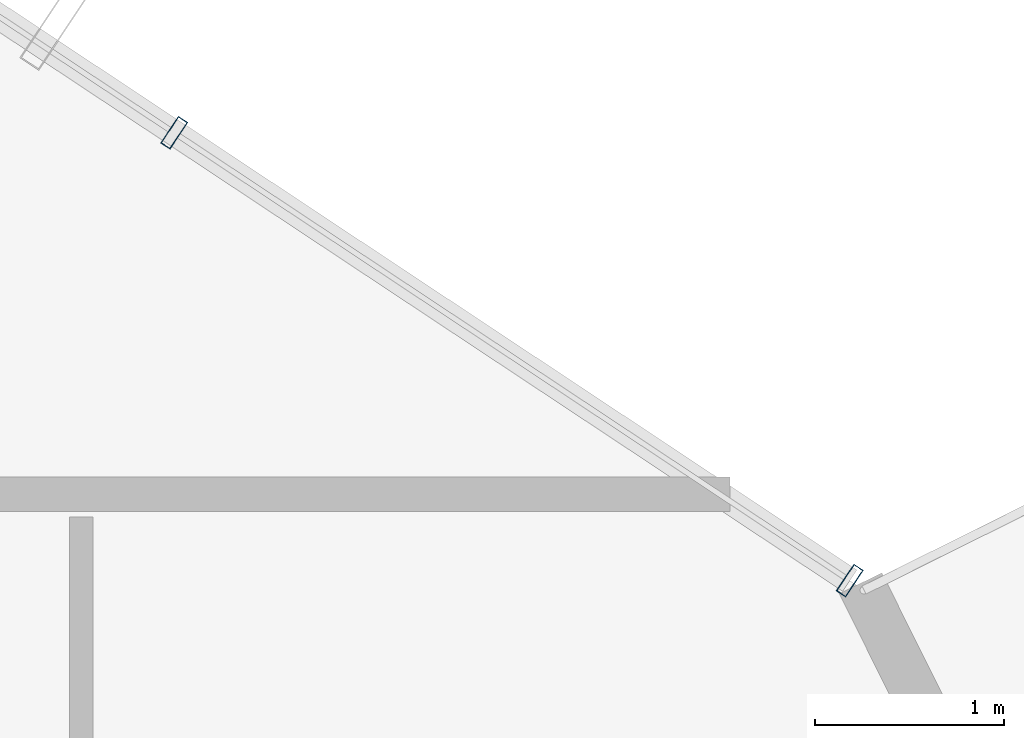
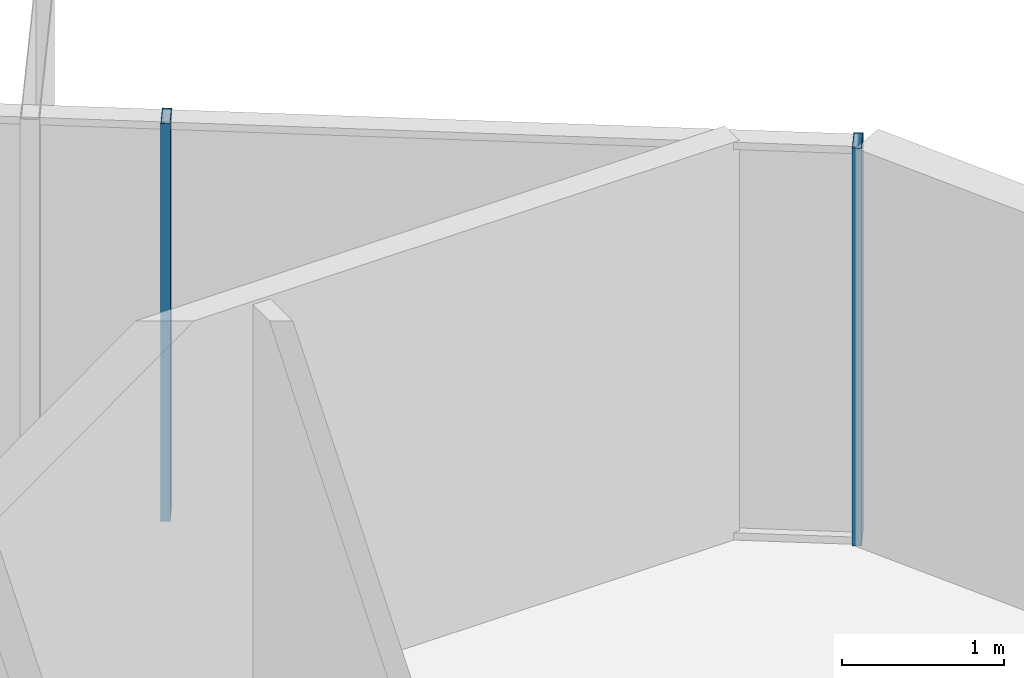
# One storey, part 24 of 30: 2 members, 1 element without a shape of its own.
"""IFC4 building model written with IfcOpenShell, lengths in metres."""

from ifc_helpers import new_model, si_unit, direction, frame, origin, origin_2d, place, context, subcontext, project, spatial, hollow_rectangle, extrude, source, transform, mapped, material, layer, layer_set, material_profile, profile_set, type_object, element, aggregate, save


model = new_model("IFC4")

# Units and contexts
model_context = context("Model", 3, precision=1e-05, world=origin(), true_north=direction((0.0, 1.0)))
body_context = subcontext(model_context, "Body", "Model", "MODEL_VIEW")
ifc_project = project(units=[si_unit("LENGTHUNIT", "METRE"), si_unit("AREAUNIT", "SQUARE_METRE"), si_unit("VOLUMEUNIT", "CUBIC_METRE"), si_unit("PLANEANGLEUNIT", "RADIAN"), si_unit("MASSUNIT", "GRAM", prefix="KILO")], contexts=[model_context])

# Site, building, storey
site_placement = place(None, origin())
site = spatial("IfcSite", under=ifc_project, at=site_placement, CompositionType="ELEMENT")
building_placement = place(site_placement, origin())
building = spatial("IfcBuilding", under=site, at=building_placement, Name="Veraguas Prism Commons", CompositionType="ELEMENT")
storey_placement = place(building_placement, frame((0.0, 0.0, 116.5)))
storey = spatial("IfcBuildingStorey", under=building, at=storey_placement, Name="L32", CompositionType="ELEMENT", Elevation=116.5)

# Curtain wall, members
ifc_material = material(Name="Anodised aluminium EN AW-6063 T6", Category="aluminium")
ifc_layer = layer(ifc_material, 0.169921875, Name="Unitised Flush Curtain Wall Zone 2", Category="aluminium")
ifc_layer_set = layer_set([ifc_layer], Name="Anodised aluminium EN AW-6063 T6")
curtain_wall_type = type_object("IfcCurtainWallType", Name="Unitised Flush Curtain Wall Zone 2", PredefinedType="NOTDEFINED", material=ifc_layer_set)
curtain_wall_placement = place(storey_placement, origin())
curtain_wall = element("IfcCurtainWall", 1, at=curtain_wall_placement, inside=storey, type_object=curtain_wall_type, Name="Tower Facade Curtain Wall L32-F1", PredefinedType="NOTDEFINED")
ifc_material_profile = material_profile(ifc_material, hollow_rectangle(XDim=0.06005859375, YDim=0.169921875, WallThickness=0.00390625, at=origin_2d()), Name="AL60X170X4")
ifc_profile_set = profile_set([ifc_material_profile], Name="Anodised aluminium EN AW-6063 T6")
member_type = type_object("IfcMemberType", Name="Curtain Wall Mullion Lower AL 60x170x4", PredefinedType="MULLION", material=ifc_profile_set)
shared_shape = source(origin(), body_context, "Body", "SweptSolid", [
    extrude(hollow_rectangle(XDim=0.06005859375, YDim=0.169921875, WallThickness=0.00390625, at=origin_2d()), origin(), (0.0, 0.0, 1.0), 3.0),
])
member_1_placement = place(storey_placement, frame((41.756103515625, 35.244140625, 0.0), z_axis=(0.0, 0.0, 1.0), x_axis=(-0.833504151469, 0.552513193945, 0.0)))
member_1 = element("IfcMember", 2, at=member_1_placement, type_object=member_type, Name="CW-Z2 Mullion 1", PredefinedType="MULLION", context=body_context, shape_type="MappedRepresentation", body=[
    mapped(shared_shape, transform((0.0, 0.0, 0.0), scale=1.0)),
])
member_2_placement = place(storey_placement, frame((38.18994140625, 37.608154296875, 0.0), z_axis=(0.0, 0.0, 1.0), x_axis=(-0.833504151469, 0.552513193945, 0.0)))
member_2 = element("IfcMember", 3, at=member_2_placement, type_object=member_type, Name="CW-Z2 Mullion 2", PredefinedType="MULLION", context=body_context, shape_type="MappedRepresentation", body=[
    mapped(shared_shape, transform((0.0, 0.0, 0.0), scale=1.0)),
])
aggregate(curtain_wall, [member_1, member_2])

save(model, "model.ifc")
